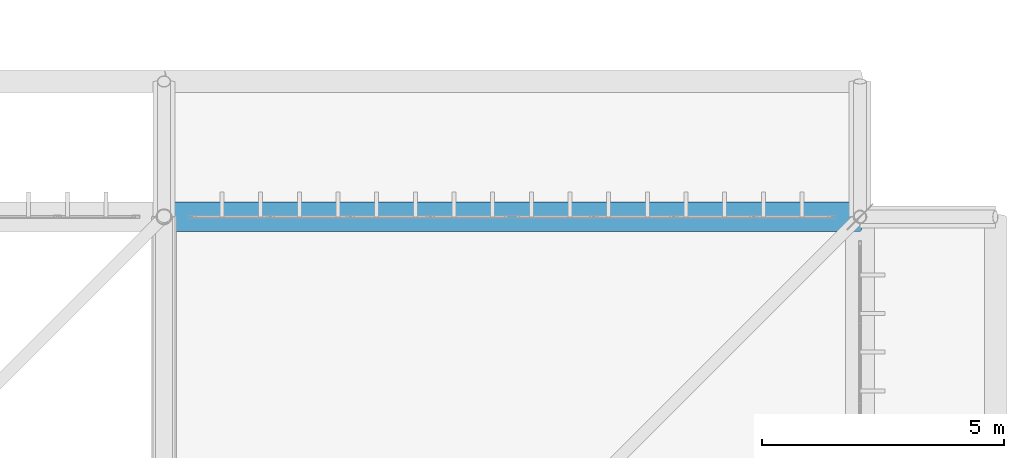
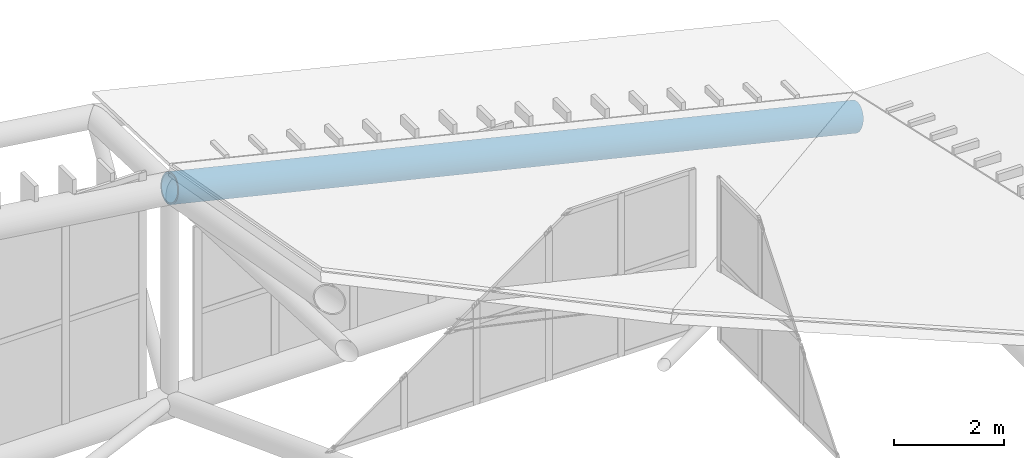
# One storey, part 350 of 397: 1 beam.
"""IFC4 building model written with IfcOpenShell, lengths in metres."""

from ifc_helpers import new_model, si_unit, direction, frame, origin, origin_2d, place, context, subcontext, project, spatial, hollow_circle, extrude, material, material_profile, profile_set, type_object, element, save


model = new_model("IFC4")

# Units and contexts
model_context = context("Model", 3, precision=1e-05, world=origin(), true_north=direction((0.0, 1.0)))
body_context = subcontext(model_context, "Body", "Model", "MODEL_VIEW")
ifc_project = project(units=[si_unit("LENGTHUNIT", "METRE"), si_unit("AREAUNIT", "SQUARE_METRE"), si_unit("VOLUMEUNIT", "CUBIC_METRE"), si_unit("PLANEANGLEUNIT", "RADIAN"), si_unit("MASSUNIT", "GRAM", prefix="KILO")], contexts=[model_context])

# Site, building, storey
site_placement = place(None, origin())
site = spatial("IfcSite", under=ifc_project, at=site_placement, CompositionType="ELEMENT")
building_placement = place(site_placement, origin())
building = spatial("IfcBuilding", under=site, at=building_placement, Name="Qandorah Velis Arena", CompositionType="ELEMENT")
storey_placement = place(building_placement, frame((0.0, 0.0, 27.5)))
storey = spatial("IfcBuildingStorey", under=building, at=storey_placement, Name="RF", CompositionType="ELEMENT", Elevation=27.5)

# Beam
ifc_material = material(Name="Steel S460", Category="steel")
ifc_material_profile = material_profile(ifc_material, hollow_circle(Radius=0.304931640625, WallThickness=0.031982421875, at=origin_2d()), Name="CHS 610x32")
ifc_profile_set = profile_set([ifc_material_profile], Name="Steel S460")
beam_type = type_object("IfcBeamType", Name="STR-SFC-CHS610X32", PredefinedType="USERDEFINED", material=ifc_profile_set)
beam_placement = place(storey_placement, frame((100.800048828125, 115.199951171875, 4.851806640625), z_axis=(0.972449674239, 0.0, -0.233112914856), x_axis=(0.0, 1.0, 0.0)))
element("IfcBeam", 1, at=beam_placement, inside=storey, type_object=beam_type, Name="Space frame roof truss top chord X 6.7", ObjectType="ROOF TRUSS", PredefinedType="USERDEFINED", context=body_context, shape_type="SweptSolid", body=[
    extrude(hollow_circle(Radius=0.304931640625, WallThickness=0.031982421875, at=origin_2d()), origin(), (0.0, 0.0, 1.0), 14.807861328125),
])

save(model, "model.ifc")
